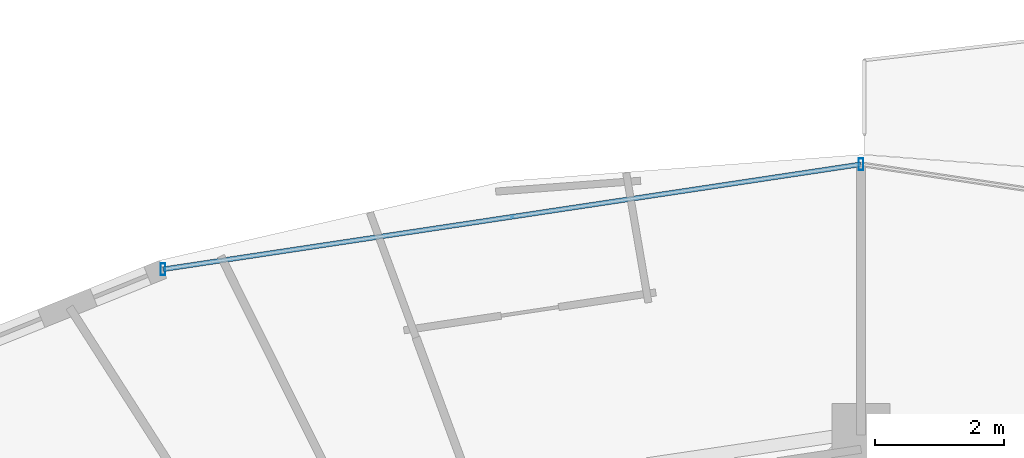
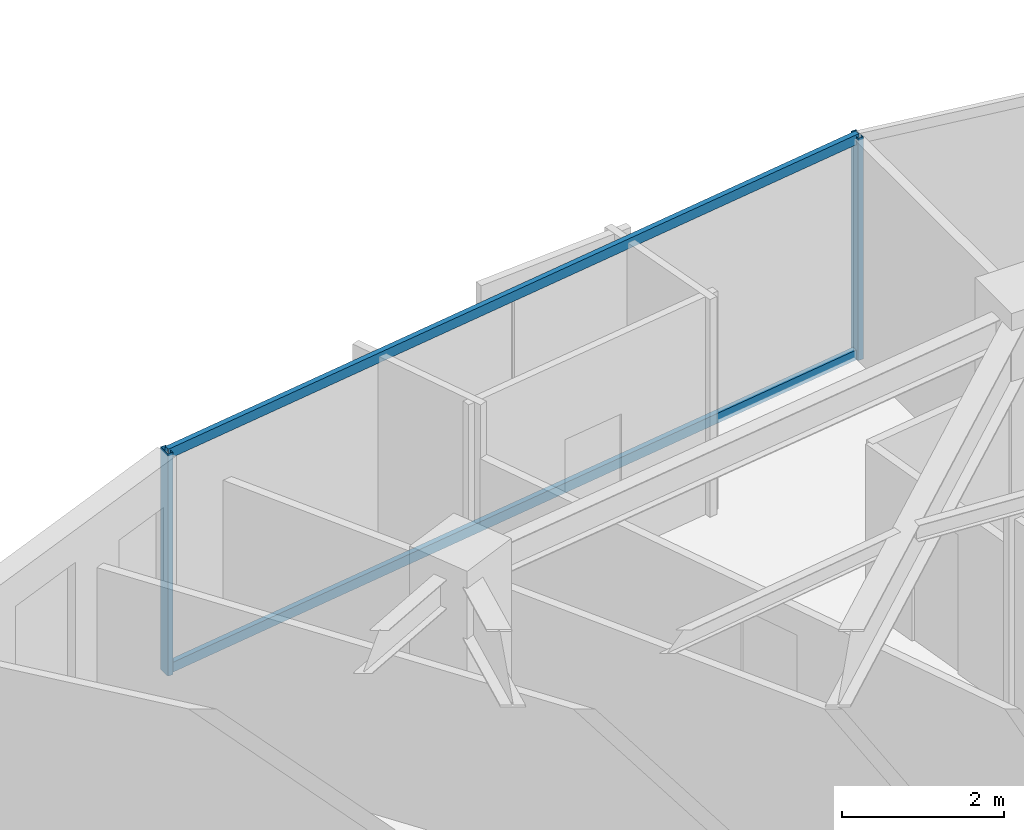
# One storey, part 19 of 33: 4 members, 1 element without a shape of its own.
"""IFC4 building model written with IfcOpenShell, lengths in metres."""

from ifc_helpers import new_model, si_unit, direction, frame, origin, origin_2d, place, context, subcontext, project, spatial, hollow_rectangle, extrude, material, material_profile, profile_set, type_object, element, aggregate, save


model = new_model("IFC4")

# Units and contexts
model_context = context("Model", 3, precision=1e-05, world=origin(), true_north=direction((0.0, 1.0)))
body_context = subcontext(model_context, "Body", "Model", "MODEL_VIEW")
ifc_project = project(units=[si_unit("LENGTHUNIT", "METRE"), si_unit("AREAUNIT", "SQUARE_METRE"), si_unit("VOLUMEUNIT", "CUBIC_METRE"), si_unit("PLANEANGLEUNIT", "RADIAN"), si_unit("MASSUNIT", "GRAM", prefix="KILO")], contexts=[model_context])

# Site, building, storey
site_placement = place(None, origin())
site = spatial("IfcSite", under=ifc_project, at=site_placement, CompositionType="ELEMENT")
building_placement = place(site_placement, origin())
building = spatial("IfcBuilding", under=site, at=building_placement, Name="Vorneva Point Tower", CompositionType="ELEMENT")
storey_placement = place(building_placement, frame((0.0, 0.0, 203.64990234375)))
storey = spatial("IfcBuildingStorey", under=building, at=storey_placement, Name="L55", CompositionType="ELEMENT", Elevation=203.64990234375)

# Curtain wall, members
ifc_material = material(Name="Pale anodised aluminium", Category="aluminium")
curtain_wall_type = type_object("IfcCurtainWallType", Name="CW-RES-SYS", PredefinedType="NOTDEFINED", material=ifc_material)
curtain_wall_placement = place(storey_placement, origin())
curtain_wall = element("IfcCurtainWall", 1, at=curtain_wall_placement, inside=storey, type_object=curtain_wall_type, Name="L55 Unitised Curtain Wall CW-L55-R01", PredefinedType="NOTDEFINED")
ifc_material_profile_1 = material_profile(ifc_material, hollow_rectangle(XDim=0.074951171875, YDim=0.179931640625, WallThickness=0.00390625, at=origin_2d()), Name="AL-MUL 180x75x4")
ifc_profile_set_1 = profile_set([ifc_material_profile_1], Name="Pale anodised aluminium")
member_type_1 = type_object("IfcMemberType", Name="CW-MUL-180", PredefinedType="MULLION", material=ifc_profile_set_1)
member_1_placement = place(storey_placement, frame((38.0, 47.35009765625, -0.039794921875), z_axis=(0.0, 0.0, 1.0), x_axis=(1.0, 0.0, 0.0)))
member_1 = element("IfcMember", 2, at=member_1_placement, type_object=member_type_1, Name="CW-L55-R01 Mullion 04", PredefinedType="MULLION", context=body_context, shape_type="SweptSolid", body=[
    extrude(hollow_rectangle(XDim=0.074951171875, YDim=0.179931640625, WallThickness=0.00390625, at=origin_2d()), origin(), (0.0, 0.0, 1.0), 3.35986328125),
])
member_2_placement = place(storey_placement, frame((27.19677734375, 45.724853515625, -0.039794921875), z_axis=(0.0, 0.0, 1.0), x_axis=(1.0, 0.0, 0.0)))
member_2 = element("IfcMember", 3, at=member_2_placement, type_object=member_type_1, Name="CW-L55-R01 Mullion 05", PredefinedType="MULLION", context=body_context, shape_type="SweptSolid", body=[
    extrude(hollow_rectangle(XDim=0.074951171875, YDim=0.179931640625, WallThickness=0.00390625, at=origin_2d()), origin(), (0.0, 0.0, 1.0), 3.35986328125),
])
ifc_material_profile_2 = material_profile(ifc_material, hollow_rectangle(XDim=0.074951171875, YDim=0.14990234375, WallThickness=0.00390625, at=origin_2d()), Name="AL-TRN 150x75x4")
ifc_profile_set_2 = profile_set([ifc_material_profile_2], Name="Pale anodised aluminium")
member_type_2 = type_object("IfcMemberType", Name="CW-TRN-150", PredefinedType="USERDEFINED", material=ifc_profile_set_2)
member_3_placement = place(storey_placement, frame((38.0, 47.35009765625, 0.02001953125), z_axis=(-0.988872333273, -0.148766624239, 0.0), x_axis=(0.148766624239, -0.988872333273, 0.0)))
member_3 = element("IfcMember", 4, at=member_3_placement, type_object=member_type_2, Name="CW-L55-R01 Transom 04.1", ObjectType="TRANSOM", PredefinedType="USERDEFINED", context=body_context, shape_type="SweptSolid", body=[
    extrude(hollow_rectangle(XDim=0.074951171875, YDim=0.14990234375, WallThickness=0.00390625, at=origin_2d()), origin(), (0.0, 0.0, 1.0), 10.9248046875),
])
member_4_placement = place(storey_placement, frame((38.0, 47.35009765625, 3.27001953125), z_axis=(-0.988872333273, -0.148766624239, 0.0), x_axis=(0.148766624239, -0.988872333273, 0.0)))
member_4 = element("IfcMember", 5, at=member_4_placement, type_object=member_type_2, Name="CW-L55-R01 Transom 04.2", ObjectType="TRANSOM", PredefinedType="USERDEFINED", context=body_context, shape_type="SweptSolid", body=[
    extrude(hollow_rectangle(XDim=0.074951171875, YDim=0.14990234375, WallThickness=0.00390625, at=origin_2d()), origin(), (0.0, 0.0, 1.0), 10.9248046875),
])
aggregate(curtain_wall, [member_1, member_2, member_3, member_4])

save(model, "model.ifc")
